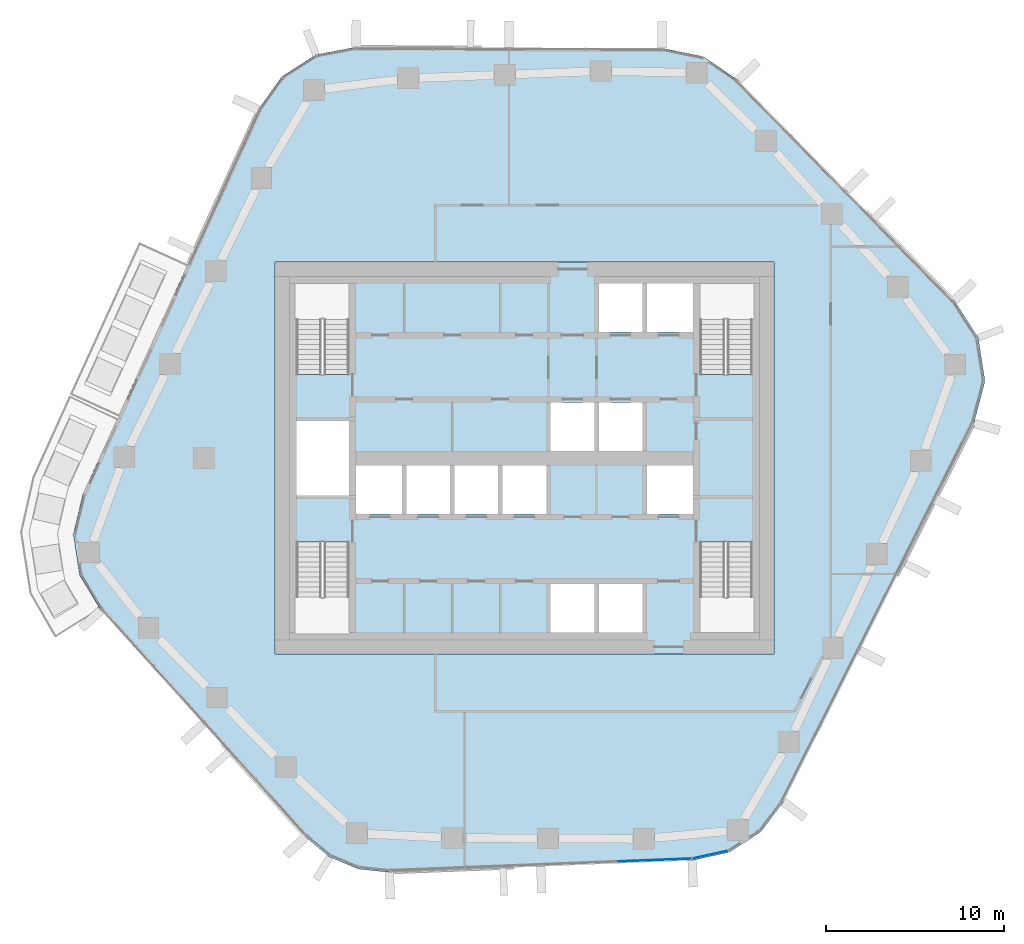
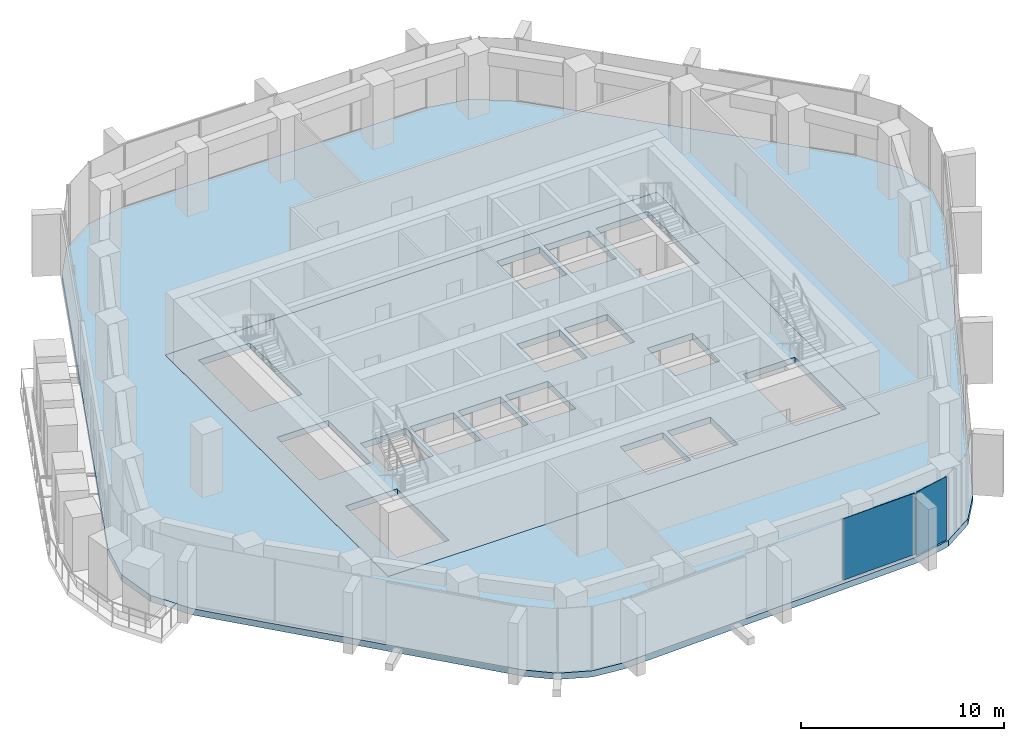
# One storey, part 9 of 18: 2 plates, 2 slabs, 2 elements without a shape of their own.
"""IFC4 building model written with IfcOpenShell, lengths in metres."""

from ifc_helpers import new_model, si_unit, direction, frame, origin, origin_2d, place, context, subcontext, project, spatial, polyline, rectangle, outline, extrude, material, layer, layer_set, type_object, element, aggregate, save


model = new_model("IFC4")

# Units and contexts
model_context = context("Model", 3, precision=1e-05, world=origin(), true_north=direction((0.0, 1.0)))
body_context = subcontext(model_context, "Body", "Model", "MODEL_VIEW")
ifc_project = project(units=[si_unit("LENGTHUNIT", "METRE"), si_unit("AREAUNIT", "SQUARE_METRE"), si_unit("VOLUMEUNIT", "CUBIC_METRE"), si_unit("PLANEANGLEUNIT", "RADIAN"), si_unit("MASSUNIT", "GRAM", prefix="KILO")], contexts=[model_context])

# Site, building, storey
site_placement = place(None, origin())
site = spatial("IfcSite", under=ifc_project, at=site_placement, CompositionType="ELEMENT")
building_placement = place(site_placement, origin())
building = spatial("IfcBuilding", under=site, at=building_placement, Name="Dongbaek Canopy Tower", CompositionType="ELEMENT")
storey_placement = place(building_placement, frame((0.0, 0.0, 203.0)))
storey = spatial("IfcBuildingStorey", under=building, at=storey_placement, Name="L42", CompositionType="ELEMENT", Elevation=203.0)

# Curtain wall, plate
ifc_material_1 = material(Name="Aluminium 6063-T6 pale anodised", Category="aluminium")
ifc_layer_1 = layer(ifc_material_1, 0.199951171875)
ifc_layer_set_1 = layer_set([ifc_layer_1], Name="CW-1 unitised tower curtain wall")
curtain_wall_type = type_object("IfcCurtainWallType", Name="CW-1 unitised tower curtain wall", PredefinedType="NOTDEFINED", material=ifc_layer_set_1)
curtain_wall_1_placement = place(storey_placement, origin())
curtain_wall_1 = element("IfcCurtainWall", 1, at=curtain_wall_1_placement, inside=storey, type_object=curtain_wall_type, Name="CW-1 curtain wall F4.1", PredefinedType="NOTDEFINED")
ifc_material_2 = material(Name="Clear laminated glass", Category="glass")
ifc_layer_2 = layer(ifc_material_2, 0.028076171875)
ifc_layer_set_2 = layer_set([ifc_layer_2], Name="CW-1 glazed panel 28")
plate_type = type_object("IfcPlateType", Name="CW-1 glazed panel 28", PredefinedType="CURTAIN_PANEL", material=ifc_layer_set_2)
plate_1_placement = place(storey_placement, frame((7.287841796875, -22.56591796875, 0.1201171875), z_axis=(0.0, 0.0, 1.0), x_axis=(0.999228406114, 0.039275850271, 0.0)))
plate_1 = element("IfcPlate", 2, at=plate_1_placement, type_object=plate_type, Name="CW-1 panel F4.1.4.1", PredefinedType="CURTAIN_PANEL", context=body_context, shape_type="SweptSolid", body=[
    extrude(rectangle(XDim=4.164794921875, YDim=0.028076171875, at=origin_2d()), origin(), (0.0, 0.0, 1.0), 3.699951171875),
])
aggregate(curtain_wall_1, [plate_1])

curtain_wall_2_placement = place(storey_placement, origin())
curtain_wall_2 = element("IfcCurtainWall", 3, at=curtain_wall_2_placement, inside=storey, type_object=curtain_wall_type, Name="CW-1 curtain wall K5.1a", PredefinedType="NOTDEFINED")
plate_2_placement = place(storey_placement, frame((10.432373046875, -22.25732421875, 0.0), z_axis=(0.0, 0.0, 1.0), x_axis=(0.976582833998, 0.215141740117, 0.0)))
plate_2 = element("IfcPlate", 4, at=plate_2_placement, type_object=plate_type, Name="CW-1 panel K5.1a.1.1", PredefinedType="CURTAIN_PANEL", context=body_context, shape_type="SweptSolid", body=[
    extrude(rectangle(XDim=2.008544921875, YDim=0.028076171875, at=origin_2d()), origin(), (0.0, 0.0, 1.0), 3.820068359375),
])
aggregate(curtain_wall_2, [plate_2])

# Slabs
ifc_material_3 = material(Name="Concrete C40/50", Category="concrete")
ifc_layer_3 = layer(ifc_material_3, 0.3798828125)
ifc_layer_set_3 = layer_set([ifc_layer_3], Name="Core floor slab 380 Concrete C40/50")
slab_type_1 = type_object("IfcSlabType", Name="Core floor slab 380 Concrete C40/50", PredefinedType="FLOOR", material=ifc_layer_set_3)
slab_1_placement = place(storey_placement, frame((0.0, 0.0, -0.3798828125)))
element("IfcSlab", 5, at=slab_1_placement, inside=storey, type_object=slab_type_1, Name="Core floor slab L42", PredefinedType="FLOOR", context=body_context, shape_type="SweptSolid", body=[
    extrude(outline(polyline([(14.0, -11.0), (14.0, 11.0), (-14.0, 11.0), (-14.0, -11.0), (14.0, -11.0)]), holes=[polyline([(-12.800048828125, 2.10009765625), (-9.85009765625, 2.10009765625), (-9.85009765625, -2.10009765625), (-12.800048828125, -2.10009765625), (-12.800048828125, 2.10009765625)]), polyline([(6.625, 9.800048828125), (6.625, 7.074951171875), (4.175048828125, 7.074951171875), (4.175048828125, 9.800048828125), (6.625, 9.800048828125)]), polyline([(9.449951171875, 7.074951171875), (6.875, 7.074951171875), (6.875, 9.800048828125), (9.449951171875, 9.800048828125), (9.449951171875, 7.074951171875)]), polyline([(1.47509765625, 0.39990234375), (1.47509765625, 3.125), (3.925048828125, 3.125), (3.925048828125, 0.39990234375), (1.47509765625, 0.39990234375)]), polyline([(4.175048828125, 0.39990234375), (4.175048828125, 3.125), (6.625, 3.125), (6.625, 0.39990234375), (4.175048828125, 0.39990234375)]), polyline([(-9.449951171875, -0.39990234375), (-6.875, -0.39990234375), (-6.875, -3.125), (-9.449951171875, -3.125), (-9.449951171875, -0.39990234375)]), polyline([(-6.625, -3.125), (-6.625, -0.39990234375), (-4.175048828125, -0.39990234375), (-4.175048828125, -3.125), (-6.625, -3.125)]), polyline([(-3.925048828125, -3.125), (-3.925048828125, -0.39990234375), (-1.47509765625, -0.39990234375), (-1.47509765625, -3.125), (-3.925048828125, -3.125)]), polyline([(-1.22509765625, -3.125), (-1.22509765625, -0.39990234375), (1.22509765625, -0.39990234375), (1.22509765625, -3.125), (-1.22509765625, -3.125)]), polyline([(9.449951171875, -3.125), (6.875, -3.125), (6.875, -0.39990234375), (9.449951171875, -0.39990234375), (9.449951171875, -3.125)]), polyline([(1.47509765625, -9.800048828125), (1.47509765625, -7.074951171875), (3.925048828125, -7.074951171875), (3.925048828125, -9.800048828125), (1.47509765625, -9.800048828125)]), polyline([(4.175048828125, -9.800048828125), (4.175048828125, -7.074951171875), (6.625, -7.074951171875), (6.625, -9.800048828125), (4.175048828125, -9.800048828125)]), polyline([(12.800048828125, 4.70068359375), (12.800048828125, 9.800048828125), (9.85009765625, 9.800048828125), (9.85009765625, 4.70068359375), (12.800048828125, 4.70068359375)]), polyline([(-9.85009765625, 4.70068359375), (-9.85009765625, 9.800048828125), (-12.800048828125, 9.800048828125), (-12.800048828125, 4.70068359375), (-9.85009765625, 4.70068359375)]), polyline([(9.85009765625, -4.70068359375), (9.85009765625, -9.800048828125), (12.800048828125, -9.800048828125), (12.800048828125, -4.70068359375), (9.85009765625, -4.70068359375)]), polyline([(-12.800048828125, -4.70068359375), (-12.800048828125, -9.800048828125), (-9.85009765625, -9.800048828125), (-9.85009765625, -4.70068359375), (-12.800048828125, -4.70068359375)])]), origin(), (0.0, 0.0, 1.0), 0.3798828125),
])
ifc_material_4 = material(Name="Concrete C40", Category="concrete")
ifc_layer_4 = layer(ifc_material_4, 0.3798828125)
ifc_layer_set_4 = layer_set([ifc_layer_4], Name="RC FLAT PLATE 380 Concrete C40")
slab_type_2 = type_object("IfcSlabType", Name="RC FLAT PLATE 380 Concrete C40", PredefinedType="FLOOR", material=ifc_layer_set_4)
slab_2_placement = place(storey_placement, frame((0.0, 0.0, -0.3798828125)))
element("IfcSlab", 6, at=slab_2_placement, inside=storey, type_object=slab_type_2, Name="SLAB:L42", PredefinedType="FLOOR", context=body_context, shape_type="SweptSolid", body=[
    extrude(outline(polyline([(14.54736328125, -19.28369140625), (13.275146484375, -20.978759765625), (11.4931640625, -22.1259765625), (9.42333984375, -22.58203125), (-7.593994140625, -23.250732421875), (-9.329345703125, -23.06494140625), (-10.93798828125, -22.3876953125), (-12.283447265625, -21.27587890625), (-23.780029296875, -8.5400390625), (-24.96875, -6.559814453125), (-25.3212890625, -4.277587890625), (-24.785888671875, -2.031005859375), (-14.9404296875, 19.568603515625), (-13.6181640625, 21.425537109375), (-11.698486328125, 22.6552734375), (-9.458984375, 23.080078125), (7.738037109375, 23.016845703125), (10.04833984375, 22.544921875), (11.99853515625, 21.218994140625), (24.148681640625, 8.836181640625), (25.477294921875, 6.75830078125), (25.85791015625, 4.3212890625), (25.2255859375, 1.93701171875), (14.54736328125, -19.28369140625)]), holes=[polyline([(14.0, 11.0), (-14.0, 11.0), (-14.0, -11.0), (14.0, -11.0), (14.0, 11.0)])]), origin(), (0.0, 0.0, 1.0), 0.3798828125),
])

save(model, "model.ifc")
